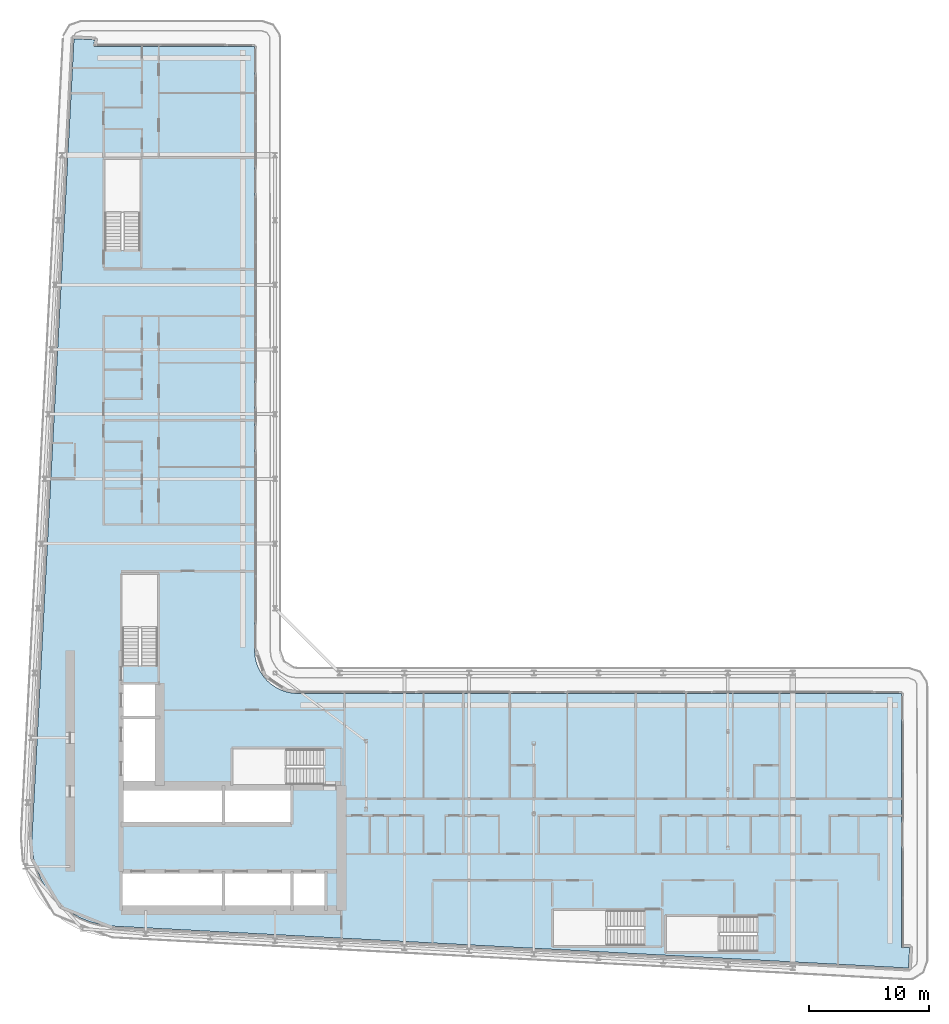
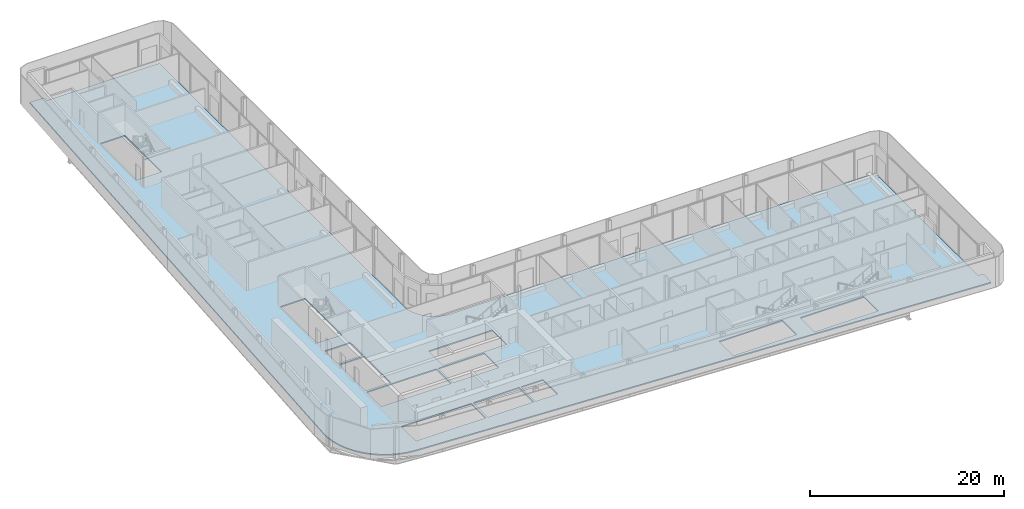
# One storey, part 13 of 29: 1 slab.
"""IFC4 building model written with IfcOpenShell, lengths in metres."""

from ifc_helpers import new_model, si_unit, direction, frame, origin, place, context, subcontext, project, spatial, polyline, outline, extrude, material, layer, layer_set, type_object, element, save


model = new_model("IFC4")

# Units and contexts
model_context = context("Model", 3, precision=1e-05, world=origin(), true_north=direction((0.0, 1.0)))
body_context = subcontext(model_context, "Body", "Model", "MODEL_VIEW")
ifc_project = project(units=[si_unit("LENGTHUNIT", "METRE"), si_unit("AREAUNIT", "SQUARE_METRE"), si_unit("VOLUMEUNIT", "CUBIC_METRE"), si_unit("PLANEANGLEUNIT", "RADIAN"), si_unit("MASSUNIT", "GRAM", prefix="KILO")], contexts=[model_context])

# Site, building, storey
site_placement = place(None, origin())
site = spatial("IfcSite", under=ifc_project, at=site_placement, CompositionType="ELEMENT")
building_placement = place(site_placement, origin())
building = spatial("IfcBuilding", under=site, at=building_placement, Name="Kheshtan School and Residences Tower", CompositionType="ELEMENT")
storey_placement = place(building_placement, frame((0.0, 0.0, 179.89990234375)))
storey = spatial("IfcBuildingStorey", under=building, at=storey_placement, Name="L42", CompositionType="ELEMENT", Elevation=179.89990234375)

# Slab
ifc_material = material(Name="Concrete C40/50", Category="concrete")
ifc_layer = layer(ifc_material, 0.14990234375)
ifc_layer_set = layer_set([ifc_layer], Name="Floor slab 150 Concrete C40/50")
slab_type = type_object("IfcSlabType", Name="Floor slab 150 Concrete C40/50", PredefinedType="FLOOR", material=ifc_layer_set)
slab_placement = place(storey_placement, frame((0.0, 0.0, -0.14990234375)))
element("IfcSlab", 1, at=slab_placement, inside=storey, type_object=slab_type, Name="Floor slab L42", PredefinedType="FLOOR", context=body_context, shape_type="SweptSolid", body=[
    extrude(outline(polyline([(27.718017578125, 29.200927734375), (27.466064453125, 30.093017578125), (27.466064453125, 30.093994140625), (27.3330078125, 31.013916015625), (27.320068359375, 31.965087890625), (27.320068359375, 31.970947265625), (30.822021484375, 98.5009765625), (30.822998046875, 98.508056640625), (30.825927734375, 98.531005859375), (30.825927734375, 98.531982421875), (30.826904296875, 98.531982421875), (31.422119140625, 98.5), (31.423095703125, 98.5), (31.423095703125, 98.4990234375), (31.423095703125, 98.4951171875), (31.423095703125, 98.493896484375), (31.424072265625, 98.493896484375), (31.424072265625, 98.492919921875), (31.425048828125, 98.492919921875), (31.426025390625, 98.492919921875), (31.426025390625, 98.493896484375), (31.427978515625, 98.49609375), (31.428955078125, 98.4970703125), (31.429931640625, 98.498046875), (31.430908203125, 98.498046875), (31.430908203125, 98.4990234375), (31.431884765625, 98.4990234375), (31.431884765625, 98.5), (31.43505859375, 98.5009765625), (31.43603515625, 98.501953125), (31.43896484375, 98.501953125), (31.43994140625, 98.501953125), (31.43994140625, 98.5029296875), (31.44091796875, 98.5029296875), (31.446044921875, 98.5029296875), (32.5009765625, 98.447021484375), (32.50390625, 98.447021484375), (32.5048828125, 98.447021484375), (32.5048828125, 98.446044921875), (32.506103515625, 98.446044921875), (32.510009765625, 98.446044921875), (32.510009765625, 98.445068359375), (32.510986328125, 98.445068359375), (32.510986328125, 98.444091796875), (32.511962890625, 98.444091796875), (32.511962890625, 98.443115234375), (32.512939453125, 98.443115234375), (32.513916015625, 98.443115234375), (32.513916015625, 98.44189453125), (32.514892578125, 98.44189453125), (32.51611328125, 98.44189453125), (32.51904296875, 98.43896484375), (32.51904296875, 98.43798828125), (32.51904296875, 98.43701171875), (32.52001953125, 98.43701171875), (32.52001953125, 98.43603515625), (32.52099609375, 98.43603515625), (32.52099609375, 98.43408203125), (32.52099609375, 98.43310546875), (32.52197265625, 98.43310546875), (32.52197265625, 98.431884765625), (32.52294921875, 98.431884765625), (32.52294921875, 98.430908203125), (32.52294921875, 98.428955078125), (32.52294921875, 98.427978515625), (32.52392578125, 98.427978515625), (32.52392578125, 98.427001953125), (32.52392578125, 98.422119140625), (32.4970703125, 97.9208984375), (32.4970703125, 97.91796875), (32.4970703125, 97.9169921875), (32.49609375, 97.9169921875), (32.49609375, 97.916015625), (32.49609375, 97.912109375), (32.4951171875, 97.910888671875), (32.4951171875, 97.909912109375), (32.493896484375, 97.909912109375), (32.493896484375, 97.908935546875), (32.492919921875, 97.908935546875), (32.492919921875, 97.907958984375), (32.489013671875, 97.904052734375), (32.488037109375, 97.904052734375), (32.488037109375, 97.903076171875), (32.488037109375, 97.902099609375), (32.488037109375, 97.90087890625), (32.489013671875, 97.90087890625), (32.489013671875, 97.89990234375), (32.489990234375, 97.89990234375), (45.85498046875, 97.89990234375), (45.864990234375, 97.89794921875), (45.865966796875, 97.89794921875), (45.868896484375, 97.89599609375), (45.8740234375, 97.89404296875), (45.8779296875, 97.89208984375), (45.881103515625, 97.889892578125), (45.881103515625, 97.888916015625), (45.882080078125, 97.888916015625), (45.882080078125, 97.887939453125), (45.883056640625, 97.887939453125), (45.884033203125, 97.885009765625), (45.885009765625, 97.885009765625), (45.885009765625, 97.884033203125), (45.887939453125, 97.883056640625), (45.887939453125, 97.882080078125), (45.888916015625, 97.882080078125), (45.888916015625, 97.881103515625), (45.889892578125, 97.881103515625), (45.89208984375, 97.8779296875), (45.89404296875, 97.8740234375), (45.89599609375, 97.868896484375), (45.89794921875, 97.865966796875), (45.89794921875, 97.864990234375), (45.89990234375, 97.85498046875), (45.89990234375, 47.429931640625), (45.927001953125, 47.030029296875), (46.01806640625, 46.570068359375), (46.01806640625, 46.569091796875), (46.169921875, 46.1201171875), (46.37890625, 45.697021484375), (46.638916015625, 45.30810546875), (46.949951171875, 44.950927734375), (46.950927734375, 44.949951171875), (47.30810546875, 44.638916015625), (47.697021484375, 44.37890625), (48.1201171875, 44.169921875), (48.569091796875, 44.01806640625), (48.570068359375, 44.01806640625), (49.030029296875, 43.927001953125), (49.429931640625, 43.89990234375), (99.85498046875, 43.89990234375), (99.864990234375, 43.89794921875), (99.865966796875, 43.89794921875), (99.868896484375, 43.89599609375), (99.8740234375, 43.89404296875), (99.8779296875, 43.89208984375), (99.881103515625, 43.889892578125), (99.881103515625, 43.888916015625), (99.882080078125, 43.888916015625), (99.882080078125, 43.887939453125), (99.883056640625, 43.887939453125), (99.884033203125, 43.885009765625), (99.885009765625, 43.885009765625), (99.885009765625, 43.884033203125), (99.887939453125, 43.883056640625), (99.887939453125, 43.882080078125), (99.888916015625, 43.882080078125), (99.888916015625, 43.881103515625), (99.889892578125, 43.881103515625), (99.89208984375, 43.8779296875), (99.89404296875, 43.8740234375), (99.89599609375, 43.868896484375), (99.89794921875, 43.865966796875), (99.89794921875, 43.864990234375), (99.89990234375, 43.85498046875), (99.89990234375, 22.708984375), (99.89990234375, 22.7080078125), (99.90087890625, 22.7080078125), (99.90087890625, 22.70703125), (99.902099609375, 22.70703125), (99.903076171875, 22.70703125), (99.903076171875, 22.7080078125), (99.905029296875, 22.7099609375), (99.906982421875, 22.7119140625), (99.907958984375, 22.7119140625), (99.907958984375, 22.712890625), (99.908935546875, 22.712890625), (99.908935546875, 22.714111328125), (99.909912109375, 22.714111328125), (99.912109375, 22.715087890625), (99.9130859375, 22.716064453125), (99.916015625, 22.716064453125), (99.9169921875, 22.716064453125), (99.9169921875, 22.717041015625), (99.91796875, 22.717041015625), (99.923095703125, 22.717041015625), (100.5380859375, 22.68408203125), (100.541015625, 22.68408203125), (100.5419921875, 22.68408203125), (100.5419921875, 22.68310546875), (100.54296875, 22.68310546875), (100.547119140625, 22.68310546875), (100.547119140625, 22.681884765625), (100.548095703125, 22.681884765625), (100.548095703125, 22.680908203125), (100.549072265625, 22.680908203125), (100.549072265625, 22.679931640625), (100.550048828125, 22.679931640625), (100.551025390625, 22.679931640625), (100.551025390625, 22.678955078125), (100.552001953125, 22.678955078125), (100.552978515625, 22.678955078125), (100.552978515625, 22.677978515625), (100.554931640625, 22.676025390625), (100.555908203125, 22.676025390625), (100.555908203125, 22.675048828125), (100.555908203125, 22.674072265625), (100.556884765625, 22.674072265625), (100.556884765625, 22.673095703125), (100.55810546875, 22.673095703125), (100.55810546875, 22.6708984375), (100.55810546875, 22.669921875), (100.55908203125, 22.669921875), (100.55908203125, 22.6689453125), (100.56005859375, 22.6689453125), (100.56005859375, 22.66796875), (100.56005859375, 22.666015625), (100.56005859375, 22.6650390625), (100.56103515625, 22.6650390625), (100.56103515625, 22.6640625), (100.56103515625, 22.658935546875), (100.5048828125, 21.60205078125), (100.5048828125, 21.59912109375), (100.5048828125, 21.597900390625), (100.50390625, 21.597900390625), (100.50390625, 21.596923828125), (100.50390625, 21.593017578125), (100.5029296875, 21.592041015625), (100.5029296875, 21.591064453125), (100.501953125, 21.591064453125), (100.501953125, 21.590087890625), (100.5009765625, 21.590087890625), (100.5009765625, 21.589111328125), (100.5, 21.587890625), (100.498046875, 21.5859375), (100.4970703125, 21.5849609375), (100.49609375, 21.5849609375), (100.49609375, 21.583984375), (100.49609375, 21.5830078125), (100.49609375, 21.58203125), (100.4970703125, 21.58203125), (100.4970703125, 21.5810546875), (100.498046875, 21.5810546875), (100.4990234375, 21.5810546875), (100.5, 21.5810546875), (100.5, 21.580078125), (100.468017578125, 20.985107421875), (100.468017578125, 20.98388671875), (100.467041015625, 20.98388671875), (100.443115234375, 20.98291015625), (100.43798828125, 20.98291015625), (34.056884765625, 24.47802734375), (33.114990234375, 24.590087890625), (32.215087890625, 24.819091796875), (32.214111328125, 24.819091796875), (31.35205078125, 25.1630859375), (30.541015625, 25.616943359375), (29.799072265625, 26.1708984375), (29.799072265625, 26.172119140625), (29.798095703125, 26.172119140625), (29.134033203125, 26.820068359375), (29.134033203125, 26.821044921875), (29.133056640625, 26.821044921875), (28.55908203125, 27.550048828125), (28.0849609375, 28.345947265625), (27.718017578125, 29.200927734375)]), holes=[polyline([(99.89990234375, 21.5869140625), (99.89990234375, 21.5830078125), (99.89990234375, 21.58203125), (99.90087890625, 21.58203125), (99.90087890625, 21.5810546875), (99.902099609375, 21.5810546875), (99.906005859375, 21.5810546875), (99.906982421875, 21.5810546875), (99.906982421875, 21.58203125), (99.907958984375, 21.58203125), (99.907958984375, 21.5830078125), (99.907958984375, 21.583984375), (99.906982421875, 21.583984375), (99.905029296875, 21.5859375), (99.904052734375, 21.5869140625), (99.903076171875, 21.587890625), (99.903076171875, 21.589111328125), (99.902099609375, 21.589111328125), (99.90087890625, 21.589111328125), (99.90087890625, 21.587890625), (99.89990234375, 21.587890625), (99.89990234375, 21.5869140625)]), polyline([(31.423095703125, 97.906005859375), (31.423095703125, 97.902099609375), (31.423095703125, 97.90087890625), (31.424072265625, 97.90087890625), (31.424072265625, 97.89990234375), (31.425048828125, 97.89990234375), (31.428955078125, 97.89990234375), (31.429931640625, 97.89990234375), (31.429931640625, 97.90087890625), (31.430908203125, 97.90087890625), (31.430908203125, 97.902099609375), (31.430908203125, 97.903076171875), (31.429931640625, 97.903076171875), (31.428955078125, 97.904052734375), (31.427978515625, 97.905029296875), (31.427001953125, 97.906005859375), (31.426025390625, 97.906982421875), (31.426025390625, 97.907958984375), (31.425048828125, 97.907958984375), (31.424072265625, 97.907958984375), (31.424072265625, 97.906982421875), (31.423095703125, 97.906982421875), (31.423095703125, 97.906005859375)]), polyline([(34.875, 28.925048828125), (34.875, 25.925048828125), (43.175048828125, 25.925048828125), (43.175048828125, 28.925048828125), (34.875, 28.925048828125)]), polyline([(43.175048828125, 36.074951171875), (34.875, 36.074951171875), (34.875, 33.074951171875), (43.175048828125, 33.074951171875), (43.175048828125, 36.074951171875)]), polyline([(34.875, 41.77490234375), (34.875, 36.324951171875), (37.875, 36.324951171875), (37.875, 41.77490234375), (34.875, 41.77490234375)]), polyline([(34.875, 42.02490234375), (37.875, 42.02490234375), (37.875, 44.625), (34.875, 44.625), (34.875, 42.02490234375)]), polyline([(37.800048828125, 46.25), (37.800048828125, 53.81005859375), (34.85009765625, 53.81005859375), (34.85009765625, 46.260009765625), (36.25, 46.260009765625), (36.25, 46.25), (37.800048828125, 46.25)]), polyline([(33.39990234375, 88.4599609375), (33.39990234375, 80.909912109375), (34.800048828125, 80.909912109375), (34.800048828125, 80.89990234375), (36.35009765625, 80.89990234375), (36.35009765625, 88.4599609375), (33.39990234375, 88.4599609375)]), polyline([(87.81005859375, 22.35009765625), (87.81005859375, 23.75), (87.820068359375, 23.75), (87.820068359375, 25.300048828125), (80.260009765625, 25.300048828125), (80.260009765625, 22.35009765625), (87.81005859375, 22.35009765625)]), polyline([(70.85009765625, 22.85009765625), (78.39990234375, 22.85009765625), (78.39990234375, 24.25), (78.409912109375, 24.25), (78.409912109375, 25.800048828125), (70.85009765625, 25.800048828125), (70.85009765625, 22.85009765625)]), polyline([(43.425048828125, 25.925048828125), (48.875, 25.925048828125), (48.875, 28.925048828125), (43.425048828125, 28.925048828125), (43.425048828125, 25.925048828125)]), polyline([(49.125, 25.925048828125), (51.72509765625, 25.925048828125), (51.72509765625, 28.925048828125), (49.125, 28.925048828125), (49.125, 25.925048828125)]), polyline([(43.425048828125, 33.074951171875), (48.875, 33.074951171875), (48.875, 36.074951171875), (43.425048828125, 36.074951171875), (43.425048828125, 33.074951171875)]), polyline([(51.64990234375, 39.25), (44.090087890625, 39.25), (44.090087890625, 36.300048828125), (51.639892578125, 36.300048828125), (51.639892578125, 37.699951171875), (51.64990234375, 37.699951171875), (51.64990234375, 39.25)])]), origin(), (0.0, 0.0, 1.0), 0.14990234375),
])

save(model, "model.ifc")
